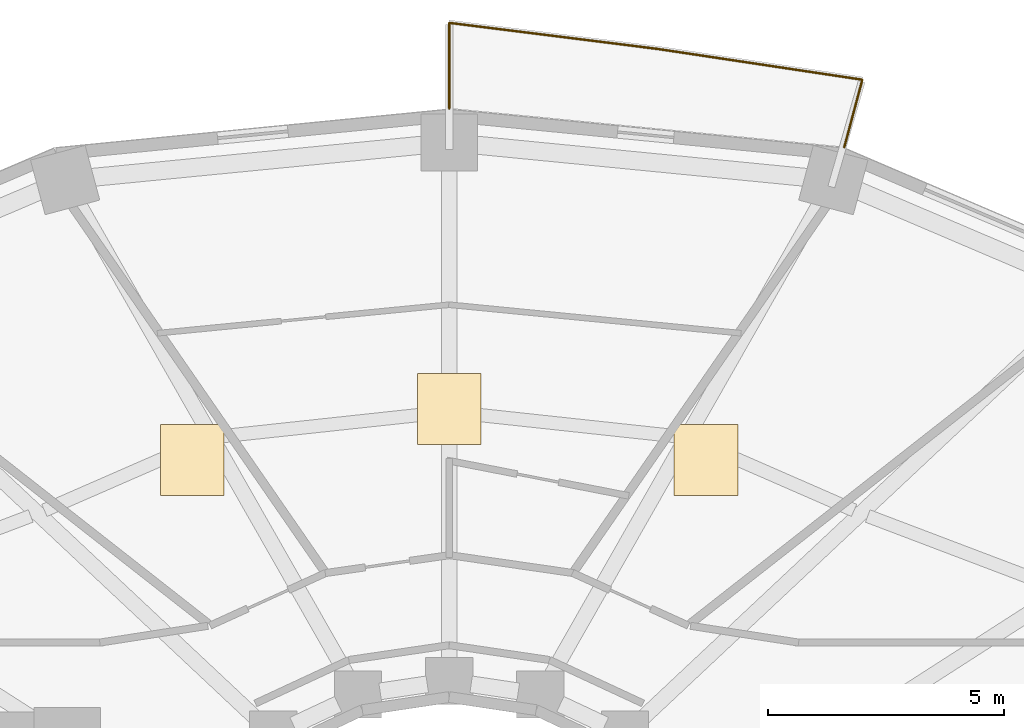
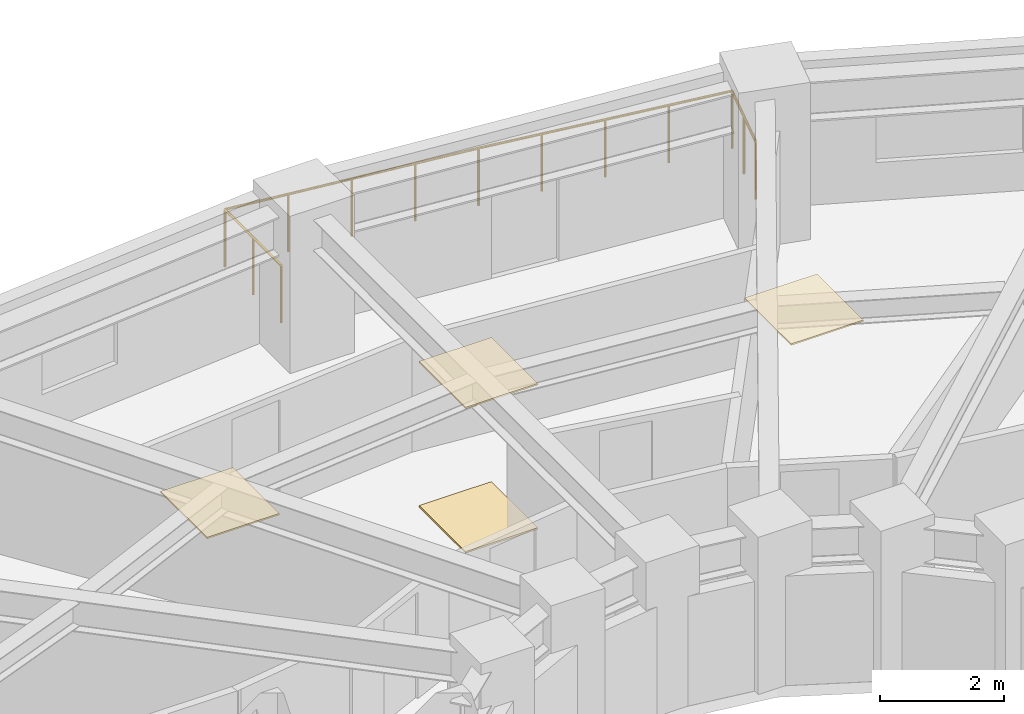
# One storey, part 14 of 14: 4 coverings, 1 railing.
"""IFC4 building model written with IfcOpenShell, lengths in metres."""

from ifc_helpers import new_model, si_unit, direction, frame, origin, origin_2d, place, context, subcontext, project, spatial, polyline, circle, outline, extrude, material, layer, layer_set, type_object, element, save


model = new_model("IFC4")

# Units and contexts
model_context = context("Model", 3, precision=1e-05, world=origin(), true_north=direction((0.0, 1.0)))
body_context = subcontext(model_context, "Body", "Model", "MODEL_VIEW")
ifc_project = project(units=[si_unit("LENGTHUNIT", "METRE"), si_unit("AREAUNIT", "SQUARE_METRE"), si_unit("VOLUMEUNIT", "CUBIC_METRE"), si_unit("PLANEANGLEUNIT", "RADIAN"), si_unit("MASSUNIT", "GRAM", prefix="KILO")], contexts=[model_context])

# Site, building, storey
site_placement = place(None, origin())
site = spatial("IfcSite", under=ifc_project, at=site_placement, CompositionType="ELEMENT")
building_placement = place(site_placement, origin())
building = spatial("IfcBuilding", under=site, at=building_placement, Name="Solvane Sanctuary Tower", CompositionType="ELEMENT")
storey_placement = place(building_placement, frame((0.0, 0.0, 40.0)))
storey = spatial("IfcBuildingStorey", under=building, at=storey_placement, Name="L11", CompositionType="ELEMENT", Elevation=40.0)

# Coverings
ifc_material_1 = material(Name="Acoustic Gypsum Partition Board")
ifc_layer_1 = layer(ifc_material_1, 0.02490234375, Name="Acoustic Gypsum Partition Board")
ifc_layer_set_1 = layer_set([ifc_layer_1], Name="Acoustic Gypsum Partition Board")
covering_type_1 = type_object("IfcCoveringType", Name="Covering CLG-ACOUST", PredefinedType="CEILING", material=ifc_layer_set_1)
covering_1_placement = place(storey_placement, frame((0.0, 0.0, 2.85009765625)))
element("IfcCovering", 1, at=covering_1_placement, inside=storey, type_object=covering_type_1, Name="L11 Unit Acoustic Ceiling Panel 1", PredefinedType="CEILING", context=body_context, shape_type="SweptSolid", body=[
    extrude(outline(polyline([(36.77099609375, 35.39697265625), (38.12109375, 35.39697265625), (38.12109375, 36.89697265625), (36.77099609375, 36.89697265625), (36.77099609375, 35.39697265625)])), origin(), (0.0, 0.0, 1.0), 0.02978515625),
])
covering_2_placement = place(storey_placement, frame((0.0, 0.0, 2.85009765625)))
element("IfcCovering", 2, at=covering_2_placement, inside=storey, type_object=covering_type_1, Name="L11 Unit Acoustic Ceiling Panel 2", PredefinedType="CEILING", context=body_context, shape_type="SweptSolid", body=[
    extrude(outline(polyline([(31.324951171875, 36.47998046875), (32.675048828125, 36.47998046875), (32.675048828125, 37.97998046875), (31.324951171875, 37.97998046875), (31.324951171875, 36.47998046875)])), origin(), (0.0, 0.0, 1.0), 0.02978515625),
])
covering_3_placement = place(storey_placement, frame((0.0, 0.0, 2.85009765625)))
element("IfcCovering", 3, at=covering_3_placement, inside=storey, type_object=covering_type_1, Name="L11 Unit Acoustic Ceiling Panel 3", PredefinedType="CEILING", context=body_context, shape_type="SweptSolid", body=[
    extrude(outline(polyline([(25.87890625, 35.39697265625), (27.22900390625, 35.39697265625), (27.22900390625, 36.89697265625), (25.87890625, 36.89697265625), (25.87890625, 35.39697265625)])), origin(), (0.0, 0.0, 1.0), 0.02978515625),
])
ifc_material_2 = material(Name="Ceramic Tile Finish")
ifc_layer_2 = layer(ifc_material_2, 0.030029296875, Name="Ceramic Tile Finish")
ifc_layer_set_2 = layer_set([ifc_layer_2], Name="Ceramic Tile Finish")
covering_type_2 = type_object("IfcCoveringType", Name="Covering FLR-TERRAZZO", PredefinedType="FLOORING", material=ifc_layer_set_2)
covering_4_placement = place(storey_placement, origin())
element("IfcCovering", 4, at=covering_4_placement, inside=storey, type_object=covering_type_2, Name="L11 Unit Terrazzo Inlay 2", PredefinedType="FLOORING", context=body_context, shape_type="SweptSolid", body=[
    extrude(outline(polyline([(31.324951171875, 36.47998046875), (32.675048828125, 36.47998046875), (32.675048828125, 37.97998046875), (31.324951171875, 37.97998046875), (31.324951171875, 36.47998046875)])), origin(), (0.0, 0.0, 1.0), 0.034912109375),
])

# Railing
ifc_material_3 = material(Name="Architectural Stainless Steel 316", Category="steel")
railing_type = type_object("IfcRailingType", Name="Railing GR-BALC-1150", PredefinedType="BALUSTRADE", material=ifc_material_3)
railing_placement = place(storey_placement, frame((40.376708984375, 42.77880859375, 0.0)))
element("IfcRailing", 5, at=railing_placement, inside=storey, type_object=railing_type, Name="L11 Wave Balcony Balustrade NC", PredefinedType="BALUSTRADE", context=body_context, shape_type="SweptSolid", body=[
    extrude(circle(Radius=0.02392578125, at=origin_2d()), frame((0.0, 0.0, 1.1259765625), z_axis=(0.258840268967, 0.965920139122, 0.0), x_axis=(-0.965920139122, 0.258840268967, 0.0)), (0.0, 0.0, 1.0), 1.483642578125),
    extrude(circle(Radius=0.02392578125, at=origin_2d()), frame((0.384033203125, 1.43310546875, 1.1259765625), z_axis=(-0.988884202639, 0.148687705514, 0.0), x_axis=(-0.148687705514, -0.988884202639, 0.0)), (0.0, 0.0, 1.0), 4.400390625),
    extrude(circle(Radius=0.02392578125, at=origin_2d()), frame((-3.967529296875, 2.08740234375, 1.1259765625), z_axis=(-0.992260962123, 0.124169976434, 0.0), x_axis=(-0.124169976434, -0.992260962123, 0.0)), (0.0, 0.0, 1.0), 4.443603515625),
    extrude(circle(Radius=0.02392578125, at=origin_2d()), frame((-8.376708984375, 2.63916015625, 1.1259765625), z_axis=(0.0, -1.0, 0.0), x_axis=(1.0, 0.0, 0.0)), (0.0, 0.0, 1.0), 1.81787109375),
    extrude(circle(Radius=0.02099609375, at=origin_2d()), origin(), (0.0, 0.0, 1.0), 1.101806640625),
    extrude(circle(Radius=0.02099609375, at=origin_2d()), frame((0.19189453125, 0.716552734375, 0.0)), (0.0, 0.0, 1.0), 1.101806640625),
    extrude(circle(Radius=0.02099609375, at=origin_2d()), frame((0.384033203125, 1.43310546875, 0.0)), (0.0, 0.0, 1.0), 1.101806640625),
    extrude(circle(Radius=0.02099609375, at=origin_2d()), frame((-0.703857421875, 1.5966796875, 0.0)), (0.0, 0.0, 1.0), 1.101806640625),
    extrude(circle(Radius=0.02099609375, at=origin_2d()), frame((-1.791748046875, 1.76025390625, 0.0)), (0.0, 0.0, 1.0), 1.101806640625),
    extrude(circle(Radius=0.02099609375, at=origin_2d()), frame((-2.879638671875, 1.923828125, 0.0)), (0.0, 0.0, 1.0), 1.101806640625),
    extrude(circle(Radius=0.02099609375, at=origin_2d()), frame((-3.967529296875, 2.08740234375, 0.0)), (0.0, 0.0, 1.0), 1.101806640625),
    extrude(circle(Radius=0.02099609375, at=origin_2d()), frame((-5.06982421875, 2.225341796875, 0.0)), (0.0, 0.0, 1.0), 1.101806640625),
    extrude(circle(Radius=0.02099609375, at=origin_2d()), frame((-6.172119140625, 2.36328125, 0.0)), (0.0, 0.0, 1.0), 1.101806640625),
    extrude(circle(Radius=0.02099609375, at=origin_2d()), frame((-7.2744140625, 2.501220703125, 0.0)), (0.0, 0.0, 1.0), 1.101806640625),
    extrude(circle(Radius=0.02099609375, at=origin_2d()), frame((-8.376708984375, 2.63916015625, 0.0)), (0.0, 0.0, 1.0), 1.101806640625),
    extrude(circle(Radius=0.02099609375, at=origin_2d()), frame((-8.376708984375, 1.730224609375, 0.0)), (0.0, 0.0, 1.0), 1.101806640625),
    extrude(circle(Radius=0.02099609375, at=origin_2d()), frame((-8.376708984375, 0.8212890625, 0.0)), (0.0, 0.0, 1.0), 1.101806640625),
])

save(model, "model.ifc")
